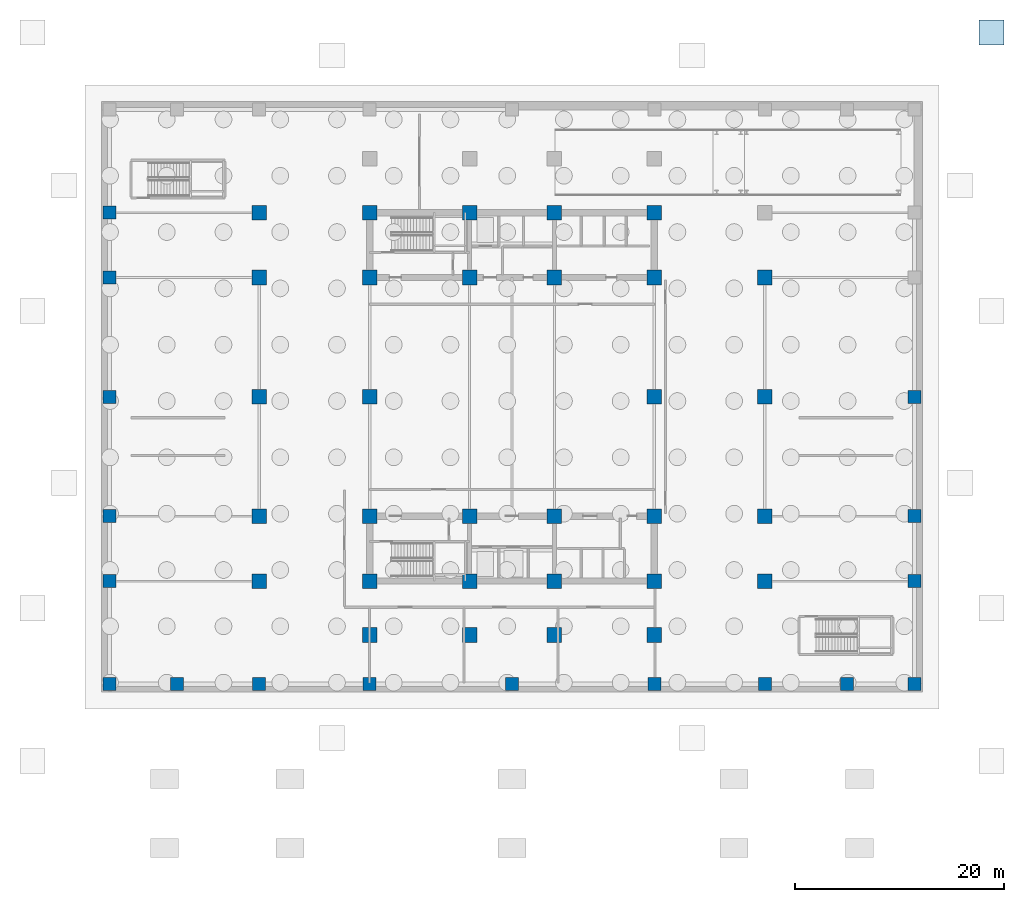
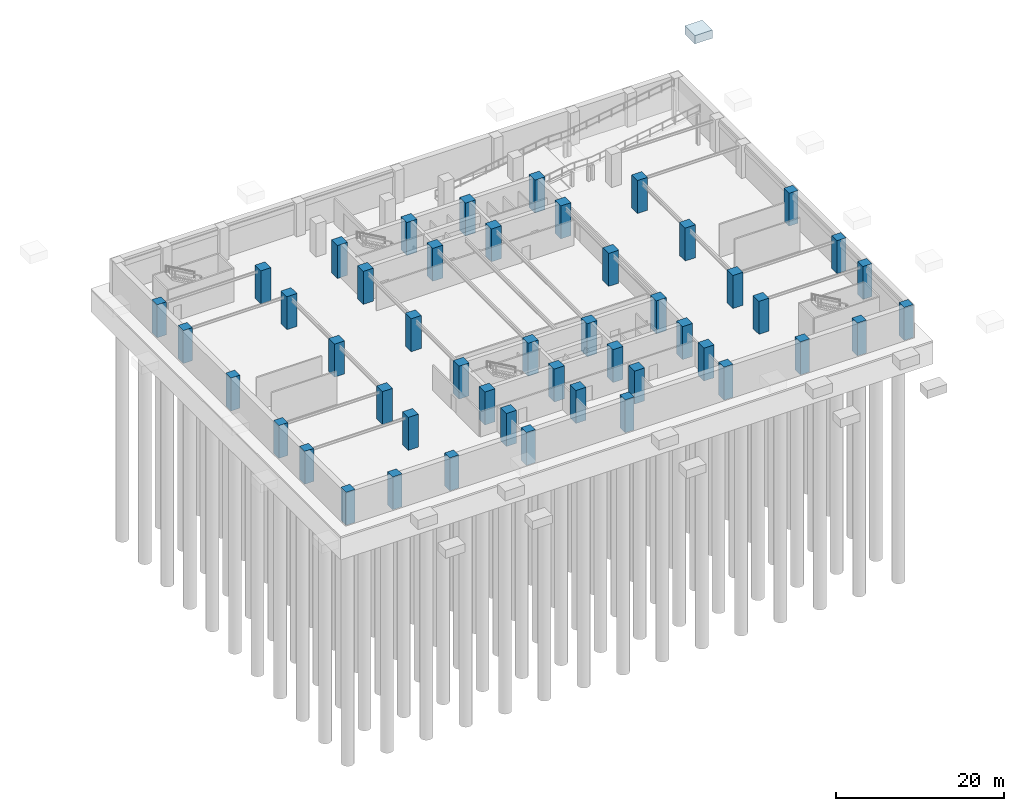
# One storey, part 2 of 13: 48 columns, 1 footing.
"""IFC4 building model written with IfcOpenShell, lengths in metres."""

from ifc_helpers import new_model, si_unit, direction, frame, origin, origin_2d, place, context, subcontext, project, spatial, polyline, rectangle, outline, extrude, material, material_profile, profile_set, type_object, element, save


model = new_model("IFC4")

# Units and contexts
model_context = context("Model", 3, precision=1e-05, world=origin(), true_north=direction((0.0, 1.0)))
body_context = subcontext(model_context, "Body", "Model", "MODEL_VIEW")
ifc_project = project(units=[si_unit("LENGTHUNIT", "METRE"), si_unit("AREAUNIT", "SQUARE_METRE"), si_unit("VOLUMEUNIT", "CUBIC_METRE"), si_unit("PLANEANGLEUNIT", "RADIAN"), si_unit("MASSUNIT", "GRAM", prefix="KILO")], contexts=[model_context])

# Site, building, storey
site_placement = place(None, origin())
site = spatial("IfcSite", under=ifc_project, at=site_placement, CompositionType="ELEMENT")
building_placement = place(site_placement, origin())
building = spatial("IfcBuilding", under=site, at=building_placement, Name="Svetorya Sky Lyceum", CompositionType="ELEMENT")
storey_placement = place(building_placement, frame((0.0, 0.0, -4.800048828125)))
storey = spatial("IfcBuildingStorey", under=building, at=storey_placement, Name="B01", CompositionType="ELEMENT", Elevation=-4.800048828125)

# Footing
ifc_material_1 = material(Name="Concrete C40/50", Category="concrete")
footing_type = type_object("IfcFootingType", Name="FT-PAD-240", PredefinedType="PAD_FOOTING", material=ifc_material_1)
footing_placement = place(storey_placement, frame((0.0, 0.0, 3.420166015625)))
element("IfcFooting", 1, at=footing_placement, inside=storey, type_object=footing_type, Name="Plaza Frost Support Pad N-4", PredefinedType="PAD_FOOTING", context=body_context, shape_type="SweptSolid", body=[
    extrude(outline(polyline([(83.800048828125, 61.800048828125), (86.199951171875, 61.800048828125), (86.199951171875, 64.199951171875), (83.800048828125, 64.199951171875), (83.800048828125, 61.800048828125)])), origin(), (0.0, 0.0, 1.0), 1.199951171875),
])

# Columns
ifc_material_2 = material(Name="Concrete C60/75", Category="concrete")
ifc_material_profile_1 = material_profile(ifc_material_2, rectangle(XDim=1.25, YDim=1.25, at=origin_2d()), Name="RC COL 1250x1250")
ifc_profile_set_1 = profile_set([ifc_material_profile_1], Name="Concrete C60/75")
column_type_1 = type_object("IfcColumnType", Name="COL-RC-1250", PredefinedType="COLUMN", material=ifc_profile_set_1)
for number, where, z_axis, x_axis, name in (
    (2, (0.75, 0.75, 0.0), (0.0, 0.0, 1.0), (1.0, 0.0, 0.0), "B01 Podium Column PC-0101"),
    (3, (0.75, 10.60009765625, 0.0), (0.0, 0.0, 1.0), (1.0, 0.0, 0.0), "B01 Podium Column PC-0102"),
    (4, (0.75, 16.800048828125, 0.0), (0.0, 0.0, 1.0), (1.0, 0.0, 0.0), "B01 Podium Column PC-0103"),
    (5, (0.75, 28.199951171875, 0.0), (0.0, 0.0, 1.0), (1.0, 0.0, 0.0), "B01 Podium Column PC-0104"),
    (6, (0.75, 39.60009765625, 0.0), (0.0, 0.0, 1.0), (1.0, 0.0, 0.0), "B01 Podium Column PC-0105"),
    (7, (0.75, 45.800048828125, 0.0), (0.0, 0.0, 1.0), (1.0, 0.0, 0.0), "B01 Podium Column PC-0106"),
    (8, (7.199951171875, 0.75, 0.0), (0.0, 0.0, 1.0), (1.0, 0.0, 0.0), "B01 Podium Column PC-0201"),
    (9, (15.050048828125, 0.75, 0.0), (0.0, 0.0, 1.0), (1.0, 0.0, 0.0), "B01 Podium Column PC-0301"),
    (10, (25.60009765625, 0.75, 0.0), (0.0, 0.0, 1.0), (1.0, 0.0, 0.0), "B01 Podium Column PC-0401"),
    (11, (39.199951171875, 0.75, 0.0), (0.0, 0.0, 1.0), (1.0, 0.0, 0.0), "B01 Podium Column PC-0501"),
    (12, (52.800048828125, 0.75, 0.0), (0.0, 0.0, 1.0), (1.0, 0.0, 0.0), "B01 Podium Column PC-0601"),
    (13, (63.35009765625, 0.75, 0.0), (0.0, 0.0, 1.0), (1.0, 0.0, 0.0), "B01 Podium Column PC-0701"),
    (14, (71.199951171875, 0.75, 0.0), (0.0, 0.0, 1.0), (1.0, 0.0, 0.0), "B01 Podium Column PC-0801"),
    (15, (77.64990234375, 0.75, 0.0), (0.0, 0.0, 1.0), (1.0, 0.0, 0.0), "B01 Podium Column PC-0901"),
    (16, (77.64990234375, 10.60009765625, 0.0), (0.0, 0.0, 1.0), (1.0, 0.0, 0.0), "B01 Podium Column PC-0902"),
    (17, (77.64990234375, 16.800048828125, 0.0), (0.0, 0.0, 1.0), (1.0, 0.0, 0.0), "B01 Podium Column PC-0903"),
    (18, (77.64990234375, 28.199951171875, 0.0), (0.0, 0.0, 1.0), (1.0, 0.0, 0.0), "B01 Podium Column PC-0904"),
):
    element("IfcColumn", number, at=place(storey_placement, frame(where, z_axis=z_axis, x_axis=x_axis)), inside=storey, type_object=column_type_1, Name=name, PredefinedType="COLUMN", context=body_context, shape_type="SweptSolid", body=[
        extrude(rectangle(XDim=1.25, YDim=1.25, at=origin_2d()), origin(), (0.0, 0.0, 1.0), 4.800048828125),
    ])
ifc_material_profile_2 = material_profile(ifc_material_2, rectangle(XDim=1.39990234375, YDim=1.39990234375, at=origin_2d()), Name="RC COL 1400x1400")
ifc_profile_set_2 = profile_set([ifc_material_profile_2], Name="Concrete C60/75")
column_type_2 = type_object("IfcColumnType", Name="COL-RC-1400", PredefinedType="COLUMN", material=ifc_profile_set_2)
for number, where, z_axis, x_axis, name in (
    (19, (25.60009765625, 10.60009765625, 0.0), (0.0, 0.0, 1.0), (1.0, 0.0, 0.0), "B01 Core Column CS-11"),
    (20, (25.60009765625, 16.800048828125, 0.0), (0.0, 0.0, 1.0), (1.0, 0.0, 0.0), "B01 Core Column CS-12"),
    (21, (35.14990234375, 10.60009765625, 0.0), (0.0, 0.0, 1.0), (1.0, 0.0, 0.0), "B01 Core Column CS-21"),
    (22, (35.14990234375, 16.800048828125, 0.0), (0.0, 0.0, 1.0), (1.0, 0.0, 0.0), "B01 Core Column CS-22"),
    (23, (43.25, 10.60009765625, 0.0), (0.0, 0.0, 1.0), (1.0, 0.0, 0.0), "B01 Core Column CS-31"),
    (24, (43.25, 16.800048828125, 0.0), (0.0, 0.0, 1.0), (1.0, 0.0, 0.0), "B01 Core Column CS-32"),
    (25, (52.800048828125, 10.60009765625, 0.0), (0.0, 0.0, 1.0), (1.0, 0.0, 0.0), "B01 Core Column CS-41"),
    (26, (52.800048828125, 16.800048828125, 0.0), (0.0, 0.0, 1.0), (1.0, 0.0, 0.0), "B01 Core Column CS-42"),
    (27, (25.60009765625, 39.60009765625, 0.0), (0.0, 0.0, 1.0), (1.0, 0.0, 0.0), "B01 Core Column CN-11"),
    (28, (25.60009765625, 45.800048828125, 0.0), (0.0, 0.0, 1.0), (1.0, 0.0, 0.0), "B01 Core Column CN-12"),
    (29, (35.14990234375, 39.60009765625, 0.0), (0.0, 0.0, 1.0), (1.0, 0.0, 0.0), "B01 Core Column CN-21"),
    (30, (35.14990234375, 45.800048828125, 0.0), (0.0, 0.0, 1.0), (1.0, 0.0, 0.0), "B01 Core Column CN-22"),
    (31, (43.25, 39.60009765625, 0.0), (0.0, 0.0, 1.0), (1.0, 0.0, 0.0), "B01 Core Column CN-31"),
    (32, (43.25, 45.800048828125, 0.0), (0.0, 0.0, 1.0), (1.0, 0.0, 0.0), "B01 Core Column CN-32"),
    (33, (52.800048828125, 39.60009765625, 0.0), (0.0, 0.0, 1.0), (1.0, 0.0, 0.0), "B01 Core Column CN-41"),
    (34, (52.800048828125, 45.800048828125, 0.0), (0.0, 0.0, 1.0), (1.0, 0.0, 0.0), "B01 Core Column CN-42"),
    (35, (25.60009765625, 28.199951171875, 0.0), (0.0, 0.0, 1.0), (1.0, 0.0, 0.0), "B01 Core Column CM-W"),
    (36, (52.800048828125, 28.199951171875, 0.0), (0.0, 0.0, 1.0), (1.0, 0.0, 0.0), "B01 Core Column CM-E"),
    (37, (25.60009765625, 5.449951171875, 0.0), (0.0, 0.0, 1.0), (1.0, 0.0, 0.0), "B01 Podium Tower-Line Column S1"),
    (38, (35.14990234375, 5.449951171875, 0.0), (0.0, 0.0, 1.0), (1.0, 0.0, 0.0), "B01 Podium Tower-Line Column S2"),
    (39, (43.25, 5.449951171875, 0.0), (0.0, 0.0, 1.0), (1.0, 0.0, 0.0), "B01 Podium Tower-Line Column S3"),
    (40, (52.800048828125, 5.449951171875, 0.0), (0.0, 0.0, 1.0), (1.0, 0.0, 0.0), "B01 Podium Tower-Line Column S4"),
    (41, (15.050048828125, 10.60009765625, 0.0), (0.0, 0.0, 1.0), (1.0, 0.0, 0.0), "B01 Podium Tower-Line Column W1"),
    (42, (63.35009765625, 10.60009765625, 0.0), (0.0, 0.0, 1.0), (1.0, 0.0, 0.0), "B01 Podium Tower-Line Column E1"),
    (43, (15.050048828125, 16.800048828125, 0.0), (0.0, 0.0, 1.0), (1.0, 0.0, 0.0), "B01 Podium Tower-Line Column W2"),
    (44, (63.35009765625, 16.800048828125, 0.0), (0.0, 0.0, 1.0), (1.0, 0.0, 0.0), "B01 Podium Tower-Line Column E2"),
    (45, (15.050048828125, 28.199951171875, 0.0), (0.0, 0.0, 1.0), (1.0, 0.0, 0.0), "B01 Podium Tower-Line Column W3"),
    (46, (63.35009765625, 28.199951171875, 0.0), (0.0, 0.0, 1.0), (1.0, 0.0, 0.0), "B01 Podium Tower-Line Column E3"),
    (47, (15.050048828125, 39.60009765625, 0.0), (0.0, 0.0, 1.0), (1.0, 0.0, 0.0), "B01 Podium Tower-Line Column W4"),
    (48, (63.35009765625, 39.60009765625, 0.0), (0.0, 0.0, 1.0), (1.0, 0.0, 0.0), "B01 Podium Tower-Line Column E4"),
    (49, (15.050048828125, 45.800048828125, 0.0), (0.0, 0.0, 1.0), (1.0, 0.0, 0.0), "B01 Podium Tower-Line Column W5"),
):
    element("IfcColumn", number, at=place(storey_placement, frame(where, z_axis=z_axis, x_axis=x_axis)), inside=storey, type_object=column_type_2, Name=name, PredefinedType="COLUMN", context=body_context, shape_type="SweptSolid", body=[
        extrude(rectangle(XDim=1.39990234375, YDim=1.39990234375, at=origin_2d()), origin(), (0.0, 0.0, 1.0), 4.800048828125),
    ])

save(model, "model.ifc")
